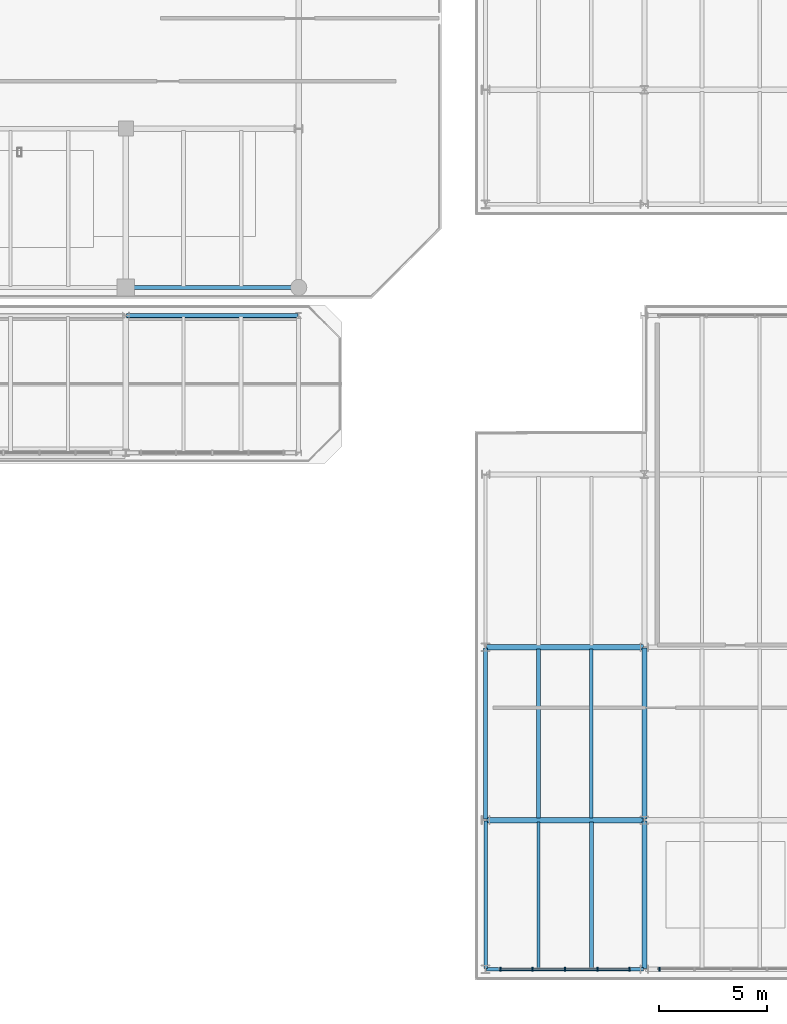
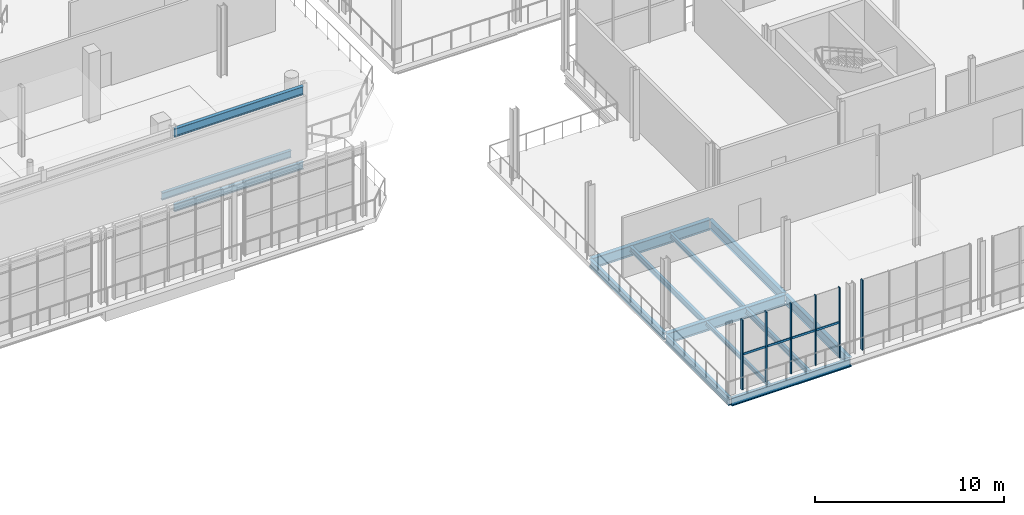
# One storey, part 37 of 93: 14 beams, 10 members, 2 elements without a shape of their own.
"""IFC4 building model written with IfcOpenShell, lengths in metres."""

from ifc_helpers import new_model, si_unit, direction, frame, origin, origin_2d, place, context, subcontext, project, spatial, rectangle, i_section, extrude, material, material_profile, profile_set, type_object, element, aggregate, save


model = new_model("IFC4")

# Units and contexts
model_context = context("Model", 3, precision=1e-05, world=origin(), true_north=direction((0.0, 1.0)))
body_context = subcontext(model_context, "Body", "Model", "MODEL_VIEW")
ifc_project = project(units=[si_unit("LENGTHUNIT", "METRE"), si_unit("AREAUNIT", "SQUARE_METRE"), si_unit("VOLUMEUNIT", "CUBIC_METRE"), si_unit("PLANEANGLEUNIT", "RADIAN"), si_unit("MASSUNIT", "GRAM", prefix="KILO")], contexts=[model_context])

# Site, building, storey
site_placement = place(None, origin())
site = spatial("IfcSite", under=ifc_project, at=site_placement, CompositionType="ELEMENT")
building_placement = place(site_placement, origin())
building = spatial("IfcBuilding", under=site, at=building_placement, Name="Brisemont Oceanarium", CompositionType="ELEMENT")
storey_placement = place(building_placement, frame((0.0, 0.0, 5.39990234375)))
storey = spatial("IfcBuildingStorey", under=building, at=storey_placement, Name="L01", CompositionType="ELEMENT", Elevation=5.39990234375)

# Beams
ifc_material_1 = material(Name="Structural Steel ASTM A992 Gr.50", Category="steel")
ifc_material_profile_1 = material_profile(ifc_material_1, i_section(OverallWidth=0.14599609375, OverallDepth=0.259033203125, WebThickness=0.006103515625, FlangeThickness=0.009033203125, FilletRadius=0.008056640625, at=origin_2d()), Name="W10X22")
ifc_profile_set_1 = profile_set([ifc_material_profile_1], Name="Structural Steel ASTM A992 Gr.50")
beam_type_1 = type_object("IfcBeamType", Name="BM-W10X22", PredefinedType="LINTEL", material=ifc_profile_set_1)
beam_1_placement = place(storey_placement, frame((115.10009765625, 1.139892578125, -0.429443359375), z_axis=(0.0, 1.0, 0.0), x_axis=(-1.0, 0.0, 0.0)))
element("IfcBeam", 1, at=beam_1_placement, inside=storey, type_object=beam_type_1, Name="V3 L01 secondary floor beam", PredefinedType="LINTEL", context=body_context, shape_type="SweptSolid", body=[
    extrude(i_section(OverallWidth=0.14599609375, OverallDepth=0.259033203125, WebThickness=0.006103515625, FlangeThickness=0.009033203125, FilletRadius=0.008056640625, at=origin_2d()), origin(), (0.0, 0.0, 1.0), 6.77001953125),
])
ifc_material_2 = material(Name="Structural Steel ASTM A992 Gr.50", Category="steel")
ifc_material_profile_2 = material_profile(ifc_material_2, i_section(OverallWidth=0.1650390625, OverallDepth=0.31005859375, WebThickness=0.005859375, FlangeThickness=0.009765625, FilletRadius=0.008056640625, at=origin_2d()), Name="W12X26")
ifc_profile_set_2 = profile_set([ifc_material_profile_2], Name="Structural Steel ASTM A992 Gr.50")
beam_type_2 = type_object("IfcBeamType", Name="BM-W12X26", PredefinedType="JOIST", material=ifc_profile_set_2)
beam_2_placement = place(storey_placement, frame((117.550048828125, 8.090087890625, -0.454833984375), z_axis=(0.0, 1.0, 0.0), x_axis=(-1.0, 0.0, 0.0)))
element("IfcBeam", 2, at=beam_2_placement, inside=storey, type_object=beam_type_2, Name="V3 L01 secondary floor beam", PredefinedType="JOIST", context=body_context, shape_type="SweptSolid", body=[
    extrude(i_section(OverallWidth=0.1650390625, OverallDepth=0.31005859375, WebThickness=0.005859375, FlangeThickness=0.009765625, FilletRadius=0.008056640625, at=origin_2d()), origin(), (0.0, 0.0, 1.0), 7.81982421875),
])
ifc_material_3 = material(Name="Structural Steel ASTM A992 Gr.50", Category="steel")
ifc_material_profile_3 = material_profile(ifc_material_3, i_section(OverallWidth=0.1708984375, OverallDepth=0.35107421875, WebThickness=0.0068359375, FlangeThickness=0.009765625, FilletRadius=0.010009765625, at=origin_2d()), Name="W14X30")
ifc_profile_set_3 = profile_set([ifc_material_profile_3], Name="Structural Steel ASTM A992 Gr.50")
beam_type_3 = type_object("IfcBeamType", Name="BM-W14X30", PredefinedType="JOIST", material=ifc_profile_set_3)
beam_3_placement = place(storey_placement, frame((117.550048828125, 1.139892578125, -0.475341796875), z_axis=(0.0, 1.0, 0.0), x_axis=(-1.0, 0.0, 0.0)))
element("IfcBeam", 3, at=beam_3_placement, inside=storey, type_object=beam_type_3, Name="V3 L01 secondary floor beam", PredefinedType="JOIST", context=body_context, shape_type="SweptSolid", body=[
    extrude(i_section(OverallWidth=0.1708984375, OverallDepth=0.35107421875, WebThickness=0.0068359375, FlangeThickness=0.009765625, FilletRadius=0.010009765625, at=origin_2d()), origin(), (0.0, 0.0, 1.0), 6.77001953125),
])
beam_4_placement = place(storey_placement, frame((115.10009765625, 8.090087890625, -0.475341796875), z_axis=(0.0, 1.0, 0.0), x_axis=(-1.0, 0.0, 0.0)))
element("IfcBeam", 4, at=beam_4_placement, inside=storey, type_object=beam_type_3, Name="V3 L01 secondary floor beam", PredefinedType="JOIST", context=body_context, shape_type="SweptSolid", body=[
    extrude(i_section(OverallWidth=0.1708984375, OverallDepth=0.35107421875, WebThickness=0.0068359375, FlangeThickness=0.009765625, FilletRadius=0.010009765625, at=origin_2d()), origin(), (0.0, 0.0, 1.0), 7.81982421875),
])
ifc_material_4 = material(Name="Structural Steel ASTM A992 Gr.50", Category="steel")
ifc_material_profile_4 = material_profile(ifc_material_4, i_section(OverallWidth=0.19091796875, OverallDepth=0.4599609375, WebThickness=0.010009765625, FlangeThickness=0.01611328125, FilletRadius=0.010986328125, at=origin_2d()), Name="W18X55")
ifc_profile_set_4 = profile_set([ifc_material_profile_4], Name="Structural Steel ASTM A992 Gr.50")
beam_type_4 = type_object("IfcBeamType", Name="BM-W18X55", PredefinedType="SPANDREL", material=ifc_profile_set_4)
for number, where, z_axis, x_axis, name in (
    (5, (96.0400390625, 32.64990234375, -0.56982421875), (1.0, 0.0, 0.0), (0.0, 1.0, 0.0), "V1 L01 EW girder"),
    (6, (96.0400390625, 31.35009765625, -0.52978515625), (1.0, 0.0, 0.0), (0.0, 1.0, 0.0), "V1P L01 EW girder"),
    (7, (112.64990234375, 8.0400390625, -0.52978515625), (0.0, 1.0, 0.0), (-1.0, 0.0, 0.0), "V3 L01 NS girder"),
):
    element("IfcBeam", number, at=place(storey_placement, frame(where, z_axis=z_axis, x_axis=x_axis)), inside=storey, type_object=beam_type_4, Name=name, PredefinedType="SPANDREL", context=body_context, shape_type="SweptSolid", body=[
        extrude(i_section(OverallWidth=0.19091796875, OverallDepth=0.4599609375, WebThickness=0.010009765625, FlangeThickness=0.01611328125, FilletRadius=0.010986328125, at=origin_2d()), origin(), (0.0, 0.0, 1.0), 7.919921875),
    ])
ifc_material_5 = material(Name="Structural Steel ASTM A992 Gr.50", Category="steel")
ifc_material_profile_5 = material_profile(ifc_material_5, i_section(OverallWidth=0.166015625, OverallDepth=0.528076171875, WebThickness=0.009765625, FlangeThickness=0.013671875, FilletRadius=0.012939453125, at=origin_2d()), Name="W21X50")
ifc_profile_set_5 = profile_set([ifc_material_profile_5], Name="Structural Steel ASTM A992 Gr.50")
beam_type_5 = type_object("IfcBeamType", Name="BM-W21X50", PredefinedType="SPANDREL", material=ifc_profile_set_5)
beam_5_placement = place(storey_placement, frame((112.68994140625, 1.10009765625, -0.56396484375), z_axis=(1.0, 0.0, 0.0), x_axis=(0.0, 1.0, 0.0)))
element("IfcBeam", 8, at=beam_5_placement, inside=storey, type_object=beam_type_5, Name="V3 L01 EW girder", PredefinedType="SPANDREL", context=body_context, shape_type="SweptSolid", body=[
    extrude(i_section(OverallWidth=0.166015625, OverallDepth=0.528076171875, WebThickness=0.009765625, FlangeThickness=0.013671875, FilletRadius=0.012939453125, at=origin_2d()), origin(), (0.0, 0.0, 1.0), 7.27001953125),
])
beam_6_placement = place(storey_placement, frame((112.64990234375, 1.139892578125, -0.56396484375), z_axis=(0.0, 1.0, 0.0), x_axis=(-1.0, 0.0, 0.0)))
element("IfcBeam", 9, at=beam_6_placement, inside=storey, type_object=beam_type_5, Name="V3 L01 NS girder", PredefinedType="SPANDREL", context=body_context, shape_type="SweptSolid", body=[
    extrude(i_section(OverallWidth=0.166015625, OverallDepth=0.528076171875, WebThickness=0.009765625, FlangeThickness=0.013671875, FilletRadius=0.012939453125, at=origin_2d()), origin(), (0.0, 0.0, 1.0), 6.820068359375),
])
ifc_material_6 = material(Name="Structural Steel ASTM A992 Gr.50", Category="steel")
ifc_material_profile_6 = material_profile(ifc_material_6, i_section(OverallWidth=0.2099609375, OverallDepth=0.532958984375, WebThickness=0.01025390625, FlangeThickness=0.015625, FilletRadius=0.012939453125, at=origin_2d()), Name="W21X62")
ifc_profile_set_6 = profile_set([ifc_material_profile_6], Name="Structural Steel ASTM A992 Gr.50")
beam_type_6 = type_object("IfcBeamType", Name="BM-W21X62", PredefinedType="BEAM", material=ifc_profile_set_6)
beam_7_placement = place(storey_placement, frame((96.0400390625, 31.35009765625, 4.33349609375), z_axis=(1.0, 0.0, 0.0), x_axis=(0.0, 1.0, 0.0)))
element("IfcBeam", 10, at=beam_7_placement, inside=storey, type_object=beam_type_6, Name="V1P roof eave girder", PredefinedType="BEAM", context=body_context, shape_type="SweptSolid", body=[
    extrude(i_section(OverallWidth=0.2099609375, OverallDepth=0.532958984375, WebThickness=0.01025390625, FlangeThickness=0.015625, FilletRadius=0.012939453125, at=origin_2d()), origin(), (0.0, 0.0, 1.0), 7.919921875),
])
ifc_material_7 = material(Name="Structural Steel ASTM A992 Gr.50", Category="steel")
ifc_material_profile_7 = material_profile(ifc_material_7, i_section(OverallWidth=0.22802734375, OverallDepth=0.60791015625, WebThickness=0.01123046875, FlangeThickness=0.017333984375, FilletRadius=0.012939453125, at=origin_2d()), Name="W24X76")
ifc_profile_set_7 = profile_set([ifc_material_profile_7], Name="Structural Steel ASTM A992 Gr.50")
beam_type_7 = type_object("IfcBeamType", Name="BM-W24X76", PredefinedType="BEAM", material=ifc_profile_set_7)
beam_8_placement = place(storey_placement, frame((120.0, 8.0400390625, -0.60400390625), z_axis=(0.0, 1.0, 0.0), x_axis=(-1.0, 0.0, 0.0)))
element("IfcBeam", 11, at=beam_8_placement, inside=storey, type_object=beam_type_7, Name="V3 L01 NS girder", PredefinedType="BEAM", context=body_context, shape_type="SweptSolid", body=[
    extrude(i_section(OverallWidth=0.22802734375, OverallDepth=0.60791015625, WebThickness=0.01123046875, FlangeThickness=0.017333984375, FilletRadius=0.012939453125, at=origin_2d()), origin(), (0.0, 0.0, 1.0), 7.919921875),
])
ifc_material_8 = material(Name="Structural Steel ASTM A992 Gr.50", Category="steel")
ifc_material_profile_8 = material_profile(ifc_material_8, i_section(OverallWidth=0.22900390625, OverallDepth=0.612060546875, WebThickness=0.011962890625, FlangeThickness=0.01953125, FilletRadius=0.012939453125, at=origin_2d()), Name="W24X84")
ifc_profile_set_8 = profile_set([ifc_material_profile_8], Name="Structural Steel ASTM A992 Gr.50")
beam_type_8 = type_object("IfcBeamType", Name="BM-W24X84", PredefinedType="BEAM", material=ifc_profile_set_8)
beam_9_placement = place(storey_placement, frame((120.0, 1.139892578125, -0.60595703125), z_axis=(0.0, 1.0, 0.0), x_axis=(-1.0, 0.0, 0.0)))
element("IfcBeam", 12, at=beam_9_placement, inside=storey, type_object=beam_type_8, Name="V3 L01 NS girder", PredefinedType="BEAM", context=body_context, shape_type="SweptSolid", body=[
    extrude(i_section(OverallWidth=0.22900390625, OverallDepth=0.612060546875, WebThickness=0.011962890625, FlangeThickness=0.01953125, FilletRadius=0.012939453125, at=origin_2d()), origin(), (0.0, 0.0, 1.0), 6.820068359375),
])
ifc_material_9 = material(Name="Structural Steel ASTM A992 Gr.50", Category="steel")
ifc_material_profile_9 = material_profile(ifc_material_9, i_section(OverallWidth=0.2529296875, OverallDepth=0.677978515625, WebThickness=0.01171875, FlangeThickness=0.016357421875, FilletRadius=0.014892578125, at=origin_2d()), Name="W27X84")
ifc_profile_set_9 = profile_set([ifc_material_profile_9], Name="Structural Steel ASTM A992 Gr.50")
beam_type_9 = type_object("IfcBeamType", Name="BM-W27X84", PredefinedType="BEAM", material=ifc_profile_set_9)
beam_10_placement = place(storey_placement, frame((112.68994140625, 16.0, -0.638916015625), z_axis=(1.0, 0.0, 0.0), x_axis=(0.0, 1.0, 0.0)))
element("IfcBeam", 13, at=beam_10_placement, inside=storey, type_object=beam_type_9, Name="V3 L01 EW girder", PredefinedType="BEAM", context=body_context, shape_type="SweptSolid", body=[
    extrude(i_section(OverallWidth=0.2529296875, OverallDepth=0.677978515625, WebThickness=0.01171875, FlangeThickness=0.016357421875, FilletRadius=0.014892578125, at=origin_2d()), origin(), (0.0, 0.0, 1.0), 7.27001953125),
])
ifc_material_10 = material(Name="Structural Steel ASTM A992 Gr.50", Category="steel")
ifc_material_profile_10 = material_profile(ifc_material_10, i_section(OverallWidth=0.25390625, OverallDepth=0.68310546875, WebThickness=0.012451171875, FlangeThickness=0.018798828125, FilletRadius=0.014892578125, at=origin_2d()), Name="W27X94")
ifc_profile_set_10 = profile_set([ifc_material_profile_10], Name="Structural Steel ASTM A992 Gr.50")
beam_type_10 = type_object("IfcBeamType", Name="BM-W27X94", PredefinedType="BEAM", material=ifc_profile_set_10)
beam_11_placement = place(storey_placement, frame((112.68994140625, 8.0, -0.641357421875), z_axis=(1.0, 0.0, 0.0), x_axis=(0.0, 1.0, 0.0)))
element("IfcBeam", 14, at=beam_11_placement, inside=storey, type_object=beam_type_10, Name="V3 L01 EW girder", PredefinedType="BEAM", context=body_context, shape_type="SweptSolid", body=[
    extrude(i_section(OverallWidth=0.25390625, OverallDepth=0.68310546875, WebThickness=0.012451171875, FlangeThickness=0.018798828125, FilletRadius=0.014892578125, at=origin_2d()), origin(), (0.0, 0.0, 1.0), 7.27001953125),
])

# Curtain wall, members
ifc_material_11 = material(Name="Anodized Extruded Aluminum 6063-T6", Category="aluminium")
curtain_wall_type = type_object("IfcCurtainWallType", Name="CW-EDU-69X45", PredefinedType="NOTDEFINED", material=ifc_material_11)
curtain_wall_1_placement = place(storey_placement, origin())
curtain_wall_1 = element("IfcCurtainWall", 15, at=curtain_wall_1_placement, inside=storey, type_object=curtain_wall_type, Name="CW-07 curtain wall CW-V3-S-L01-01", PredefinedType="NOTDEFINED")
ifc_material_12 = material(Name="Anodized Extruded Aluminum 6063-T6", Category="aluminium")
ifc_material_profile_11 = material_profile(ifc_material_12, rectangle(XDim=0.06494140625, YDim=0.179931640625, at=origin_2d()), Name="CWM-65X180")
ifc_profile_set_11 = profile_set([ifc_material_profile_11], Name="Anodized Extruded Aluminum 6063-T6")
member_type_1 = type_object("IfcMemberType", Name="MEM-CWM-65", PredefinedType="MULLION", material=ifc_profile_set_11)
member_1_placement = place(storey_placement, frame((113.344970703125, 1.10009765625, 0.0), z_axis=(0.0, 0.0, 1.0), x_axis=(1.0, 0.0, 0.0)))
member_1 = element("IfcMember", 16, at=member_1_placement, type_object=member_type_1, Name="CW-V3-S-L01-01 mullion 1", PredefinedType="MULLION", context=body_context, shape_type="SweptSolid", body=[
    extrude(rectangle(XDim=0.06494140625, YDim=0.179931640625, at=origin_2d()), origin(), (0.0, 0.0, 1.0), 4.52001953125),
])
member_2_placement = place(storey_placement, frame((114.8125, 1.10009765625, 0.0), z_axis=(0.0, 0.0, 1.0), x_axis=(1.0, 0.0, 0.0)))
member_2 = element("IfcMember", 17, at=member_2_placement, type_object=member_type_1, Name="CW-V3-S-L01-01 mullion 2", PredefinedType="MULLION", context=body_context, shape_type="SweptSolid", body=[
    extrude(rectangle(XDim=0.06494140625, YDim=0.179931640625, at=origin_2d()), origin(), (0.0, 0.0, 1.0), 4.52001953125),
])
member_3_placement = place(storey_placement, frame((116.324951171875, 1.10009765625, 0.0), z_axis=(0.0, 0.0, 1.0), x_axis=(1.0, 0.0, 0.0)))
member_3 = element("IfcMember", 18, at=member_3_placement, type_object=member_type_1, Name="CW-V3-S-L01-01 mullion 3", PredefinedType="MULLION", context=body_context, shape_type="SweptSolid", body=[
    extrude(rectangle(XDim=0.06494140625, YDim=0.179931640625, at=origin_2d()), origin(), (0.0, 0.0, 1.0), 4.52001953125),
])
member_4_placement = place(storey_placement, frame((117.83740234375, 1.10009765625, 0.0), z_axis=(0.0, 0.0, 1.0), x_axis=(1.0, 0.0, 0.0)))
member_4 = element("IfcMember", 19, at=member_4_placement, type_object=member_type_1, Name="CW-V3-S-L01-01 mullion 4", PredefinedType="MULLION", context=body_context, shape_type="SweptSolid", body=[
    extrude(rectangle(XDim=0.06494140625, YDim=0.179931640625, at=origin_2d()), origin(), (0.0, 0.0, 1.0), 4.52001953125),
])
member_5_placement = place(storey_placement, frame((119.304931640625, 1.10009765625, 0.0), z_axis=(0.0, 0.0, 1.0), x_axis=(1.0, 0.0, 0.0)))
member_5 = element("IfcMember", 20, at=member_5_placement, type_object=member_type_1, Name="CW-V3-S-L01-01 mullion 5", PredefinedType="MULLION", context=body_context, shape_type="SweptSolid", body=[
    extrude(rectangle(XDim=0.06494140625, YDim=0.179931640625, at=origin_2d()), origin(), (0.0, 0.0, 1.0), 4.52001953125),
])

# Curtain wall, member
curtain_wall_2_placement = place(storey_placement, origin())
curtain_wall_2 = element("IfcCurtainWall", 21, at=curtain_wall_2_placement, inside=storey, type_object=curtain_wall_type, Name="CW-07 curtain wall CW-V3-S-L01-02", PredefinedType="NOTDEFINED")
member_6_placement = place(storey_placement, frame((120.695068359375, 1.10009765625, 0.0), z_axis=(0.0, 0.0, 1.0), x_axis=(1.0, 0.0, 0.0)))
member_6 = element("IfcMember", 22, at=member_6_placement, type_object=member_type_1, Name="CW-V3-S-L01-02 mullion 1", PredefinedType="MULLION", context=body_context, shape_type="SweptSolid", body=[
    extrude(rectangle(XDim=0.06494140625, YDim=0.179931640625, at=origin_2d()), origin(), (0.0, 0.0, 1.0), 4.52001953125),
])
aggregate(curtain_wall_2, [member_6])

# Member
ifc_material_13 = material(Name="Anodized Extruded Aluminum 6063-T6", Category="aluminium")
ifc_material_profile_12 = material_profile(ifc_material_13, rectangle(XDim=0.06494140625, YDim=0.139892578125, at=origin_2d()), Name="CWT-65X140")
ifc_profile_set_12 = profile_set([ifc_material_profile_12], Name="Anodized Extruded Aluminum 6063-T6")
member_type_2 = type_object("IfcMemberType", Name="MEM-CWT-65", PredefinedType="USERDEFINED", material=ifc_profile_set_12)
member_7_placement = place(storey_placement, frame((113.31494140625, 1.10009765625, 2.260009765625), z_axis=(1.0, 0.0, 0.0), x_axis=(0.0, 1.0, 0.0)))
member_7 = element("IfcMember", 23, at=member_7_placement, type_object=member_type_2, Name="CW-V3-S-L01-01 transom 1.1", ObjectType="TRANSOM", PredefinedType="USERDEFINED", context=body_context, shape_type="SweptSolid", body=[
    extrude(rectangle(XDim=0.06494140625, YDim=0.139892578125, at=origin_2d()), origin(), (0.0, 0.0, 1.0), 1.482666015625),
])

member_8_placement = place(storey_placement, frame((114.827392578125, 1.10009765625, 2.260009765625), z_axis=(1.0, 0.0, 0.0), x_axis=(0.0, 1.0, 0.0)))
member_8 = element("IfcMember", 24, at=member_8_placement, type_object=member_type_2, Name="CW-V3-S-L01-01 transom 2.1", ObjectType="TRANSOM", PredefinedType="USERDEFINED", context=body_context, shape_type="SweptSolid", body=[
    extrude(rectangle(XDim=0.06494140625, YDim=0.139892578125, at=origin_2d()), origin(), (0.0, 0.0, 1.0), 1.482666015625),
])

member_9_placement = place(storey_placement, frame((116.340087890625, 1.10009765625, 2.260009765625), z_axis=(1.0, 0.0, 0.0), x_axis=(0.0, 1.0, 0.0)))
member_9 = element("IfcMember", 25, at=member_9_placement, type_object=member_type_2, Name="CW-V3-S-L01-01 transom 3.1", ObjectType="TRANSOM", PredefinedType="USERDEFINED", context=body_context, shape_type="SweptSolid", body=[
    extrude(rectangle(XDim=0.06494140625, YDim=0.139892578125, at=origin_2d()), origin(), (0.0, 0.0, 1.0), 1.482421875),
])

member_10_placement = place(storey_placement, frame((117.8525390625, 1.10009765625, 2.260009765625), z_axis=(1.0, 0.0, 0.0), x_axis=(0.0, 1.0, 0.0)))
member_10 = element("IfcMember", 26, at=member_10_placement, type_object=member_type_2, Name="CW-V3-S-L01-01 transom 4.1", ObjectType="TRANSOM", PredefinedType="USERDEFINED", context=body_context, shape_type="SweptSolid", body=[
    extrude(rectangle(XDim=0.06494140625, YDim=0.139892578125, at=origin_2d()), origin(), (0.0, 0.0, 1.0), 1.482421875),
])

aggregate(curtain_wall_1, [member_1, member_2, member_3, member_4, member_5, member_7, member_8, member_9, member_10])

save(model, "model.ifc")
